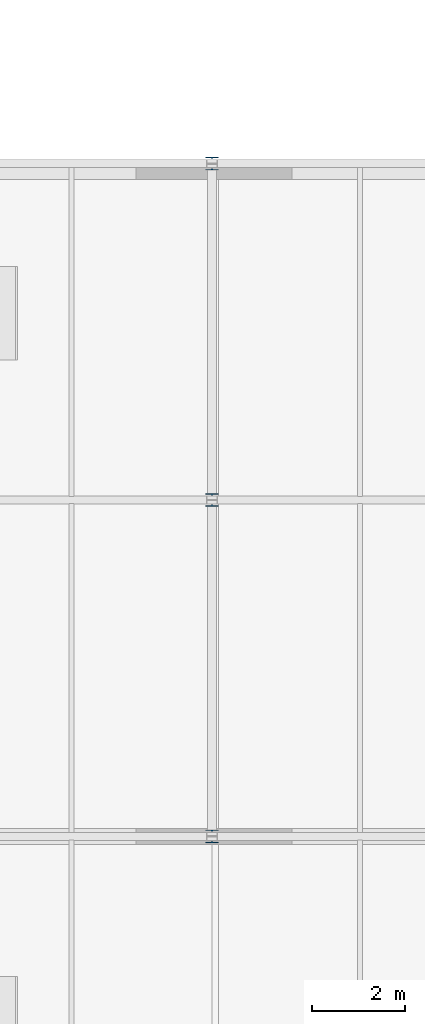
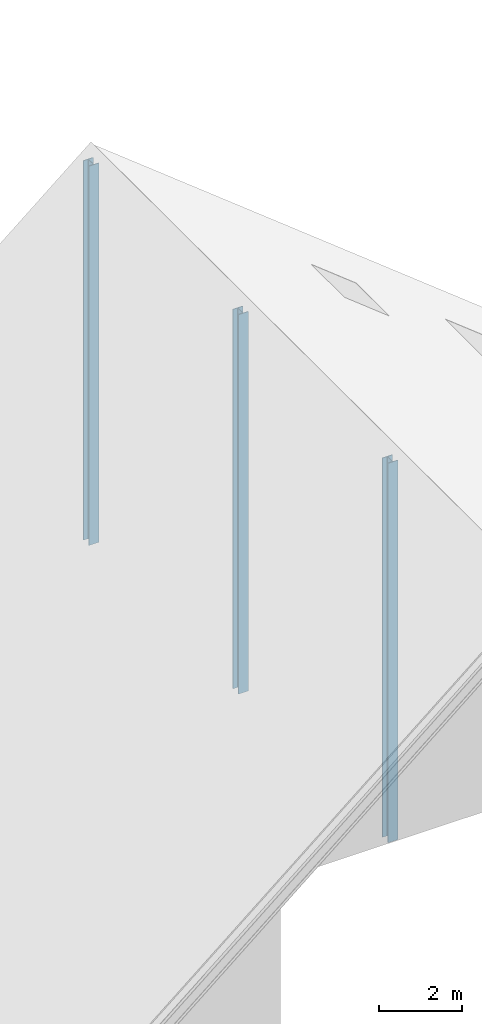
# One storey, part 2 of 35: 3 columns.
"""IFC4 building model written with IfcOpenShell, lengths in metres."""

import ifcopenshell
import ifcopenshell.guid

model = None  # the IFC model being written
_history = None  # IfcOwnerHistory: only IFC2X3 demands one
_inside = {}  # id of a spatial element -> (the spatial element, [elements in it])
_under = {}  # id of a project, library or spatial element -> (it, [spatial elements below it])
_declared = {}  # id of a project -> (the project, [libraries it declares])
_typed = {}  # id of a type object -> (the type object, [elements of that type])
_made_of = {}  # id of a material, layer set ... -> (it, [elements and type objects made of it])


def new_model(schema):
    """Start an empty IFC model of exactly this schema.

    Asked for "IFC4X3", IfcOpenShell would pick the latest addendum, in which some entities
    have other attributes; the version numbers below select the first issue.
    IFC2X3 requires an IfcOwnerHistory on every rooted entity: one is made here for all.
    """
    global model, _history
    if schema == "IFC4X3":
        model = ifcopenshell.file(schema_version=(4, 3, 0, 0))
    else:
        model = ifcopenshell.file(schema=schema)
    _inside.clear()
    _under.clear()
    _declared.clear()
    _typed.clear()
    _made_of.clear()
    _history = None
    if model.schema == "IFC2X3":
        org = make("IfcOrganization", Name="unknown")
        user = make(
            "IfcPersonAndOrganization",
            ThePerson=make("IfcPerson", FamilyName="unknown"),
            TheOrganization=org,
        )
        app = make(
            "IfcApplication",
            ApplicationDeveloper=org,
            Version="unknown",
            ApplicationFullName="unknown",
            ApplicationIdentifier="unknown",
        )
        _history = make(
            "IfcOwnerHistory",
            OwningUser=user,
            OwningApplication=app,
            ChangeAction="ADDED",
            CreationDate=0,
        )
    return model


def make(cls, **values):
    """One entity of the class cls with the attributes given. An attribute that is None is left unset."""
    return model.create_entity(
        cls, **{name: value for name, value in values.items() if value is not None}
    )


def rooted(cls, **values):
    """An entity with a GlobalId (a new one), such as an element, a storey or a relation."""
    return make(cls, GlobalId=ifcopenshell.guid.new(), OwnerHistory=_history, **values)


def si_unit(unit_type, name, prefix=None):
    """IfcSIUnit, for example si_unit("LENGTHUNIT", "METRE", prefix="MILLI")."""
    return make("IfcSIUnit", UnitType=unit_type, Prefix=prefix, Name=name)


def assignment(units):
    """IfcUnitAssignment: the units of a project."""
    return None if units is None else make("IfcUnitAssignment", Units=units)


def point(xyz):
    """IfcCartesianPoint."""
    return None if xyz is None else make("IfcCartesianPoint", Coordinates=xyz)


def direction(xyz):
    """IfcDirection."""
    return None if xyz is None else make("IfcDirection", DirectionRatios=xyz)


def frame(location, z_axis=None, x_axis=None):
    """IfcAxis2Placement3D, a coordinate frame: its origin and axes. An axis left out is left unset."""
    return make(
        "IfcAxis2Placement3D",
        Location=point(location),
        Axis=direction(z_axis),
        RefDirection=direction(x_axis),
    )


def frame_2d(location, x_axis=None):
    """IfcAxis2Placement2D, a coordinate frame in the plane: its origin and x axis."""
    return make(
        "IfcAxis2Placement2D", Location=point(location), RefDirection=direction(x_axis)
    )


def origin():
    """The frame at (0, 0, 0) with its axes left unset."""
    return frame((0.0, 0.0, 0.0))


def origin_2d():
    """The frame at (0, 0) in the plane with its x axis left unset."""
    return frame_2d((0.0, 0.0))


def place(relative_to, where):
    """IfcLocalPlacement: puts the frame where relative to a parent placement (None: the world)."""
    return make(
        "IfcLocalPlacement", PlacementRelTo=relative_to, RelativePlacement=where
    )


def context(
    kind, dimensions, precision=None, world=None, true_north=None, identifier=None
):
    """IfcGeometricRepresentationContext, for example the 3D "Model" context."""
    return make(
        "IfcGeometricRepresentationContext",
        ContextIdentifier=identifier,
        ContextType=kind,
        CoordinateSpaceDimension=dimensions,
        Precision=precision,
        WorldCoordinateSystem=world,
        TrueNorth=true_north,
    )


def subcontext(parent, identifier, kind, view, scale=None):
    """IfcGeometricRepresentationSubContext, for example "Body" below "Model"."""
    return make(
        "IfcGeometricRepresentationSubContext",
        ContextIdentifier=identifier,
        ContextType=kind,
        ParentContext=parent,
        TargetScale=scale,
        TargetView=view,
    )


def project(units=None, contexts=None):
    """IfcProject with its units and contexts."""
    return rooted(
        "IfcProject",
        Name="project",
        RepresentationContexts=contexts,
        UnitsInContext=assignment(units),
    )


def spatial(cls, under=None, at=None, **own):
    """A site, building, storey or space (cls), placed at a placement, below another one or the project."""
    s = rooted(cls, ObjectPlacement=at, **own)
    if under is not None:
        _under.setdefault(under.id(), (under, []))[1].append(s)
    return s


def profile(cls, at=None, kind="AREA", **sizes):
    """A parametric profile (cls). Its sizes go by their IFC names, for example OverallWidth=200.0."""
    return make(cls, ProfileType=kind, Position=at, **sizes)


def i_section(**sizes):
    """IfcIShapeProfileDef."""
    return profile("IfcIShapeProfileDef", **sizes)


def extrude(swept, where, along, depth):
    """IfcExtrudedAreaSolid: the profile swept, set in the frame where, extruded along a direction by depth."""
    return make(
        "IfcExtrudedAreaSolid",
        SweptArea=swept,
        Position=where,
        ExtrudedDirection=direction(along),
        Depth=depth,
    )


def shape(context_of_items, identifier, shape_type, items):
    """IfcShapeRepresentation: the items that make up one representation, for example the "Body"."""
    return make(
        "IfcShapeRepresentation",
        ContextOfItems=context_of_items,
        RepresentationIdentifier=identifier,
        RepresentationType=shape_type,
        Items=items,
    )


def material(Name=None, Category=None):
    """IfcMaterial."""
    return make("IfcMaterial", Name=Name, Category=Category)


def material_profile(
    of_material, cross_section, Name=None, Category=None, Priority=None
):
    """IfcMaterialProfile: a cross section and its material."""
    return make(
        "IfcMaterialProfile",
        Name=Name,
        Material=of_material,
        Profile=cross_section,
        Priority=Priority,
        Category=Category,
    )


def profile_set(profiles, Name=None, composite=None):
    """IfcMaterialProfileSet."""
    return make(
        "IfcMaterialProfileSet",
        Name=Name,
        MaterialProfiles=profiles,
        CompositeProfile=composite,
    )


def made_of(thing, what):
    """Note that an element or type object is made of a material, layer set ...; save() writes the relation."""
    if what is not None:
        _made_of.setdefault(what.id(), (what, []))[1].append(thing)
    return thing


def type_object(cls, material=None, **own):
    """A type object (cls), such as IfcWallType, which elements share."""
    return made_of(rooted(cls, **own), material)


def element(
    cls,
    number,
    at=None,
    inside=None,
    cuts=None,
    type_object=None,
    material=None,
    context=None,
    identifier="Body",
    shape_type=None,
    held_by="IfcProductDefinitionShape",
    body=None,
    shapes=None,
    **own,
):
    """One element of the class cls, such as IfcWall. Its Tag is "e" and its number.

    at: its placement. inside: the storey or other place that contains it. cuts: it is an
    opening in that element (IfcRelVoidsElement). A single representation is given by context,
    identifier, shape_type and body (its items); several are given by shapes. held_by: the class
    of the entity that holds the representations. save() writes the other relations.
    """
    e = rooted(cls, Tag="e%d" % number, ObjectPlacement=at, **own)
    if body is not None:
        shapes = [shape(context, identifier, shape_type, body)]
    if shapes is not None:
        e.Representation = make(held_by, Representations=shapes)
    if inside is not None:
        _inside.setdefault(inside.id(), (inside, []))[1].append(e)
    if cuts is not None:
        rooted(
            "IfcRelVoidsElement", RelatingBuildingElement=cuts, RelatedOpeningElement=e
        )
    if type_object is not None:
        _typed.setdefault(type_object.id(), (type_object, []))[1].append(e)
    return made_of(e, material)


def aggregate(whole, parts):
    """IfcRelAggregates: a whole, such as a stair, and the parts it consists of."""
    return rooted("IfcRelAggregates", RelatingObject=whole, RelatedObjects=parts)


def save(model, path):
    """Write the relations noted so far, then the file.

    IfcRelAggregates (storeys below a building ...), IfcRelContainedInSpatialStructure (elements
    in a storey), IfcRelDefinesByType, IfcRelAssociatesMaterial and IfcRelDeclares: one each for
    every whole, place, type object, material and project.
    """
    for whole, parts in _under.values():
        aggregate(whole, parts)
    for where, things in _inside.values():
        rooted(
            "IfcRelContainedInSpatialStructure",
            RelatedElements=things,
            RelatingStructure=where,
        )
    for kind, things in _typed.values():
        rooted("IfcRelDefinesByType", RelatedObjects=things, RelatingType=kind)
    for what, things in _made_of.values():
        rooted("IfcRelAssociatesMaterial", RelatedObjects=things, RelatingMaterial=what)
    for by, libraries in _declared.values():
        rooted("IfcRelDeclares", RelatingContext=by, RelatedDefinitions=libraries)
    model.write(path)


model = new_model("IFC4")

# Units and contexts
model_context = context("Model", 3, precision=1e-05, world=origin(), true_north=direction((0.0, 1.0)))
body_context = subcontext(model_context, "Body", "Model", "MODEL_VIEW")
ifc_project = project(units=[si_unit("LENGTHUNIT", "METRE"), si_unit("AREAUNIT", "SQUARE_METRE"), si_unit("VOLUMEUNIT", "CUBIC_METRE"), si_unit("PLANEANGLEUNIT", "RADIAN"), si_unit("MASSUNIT", "GRAM", prefix="KILO")], contexts=[model_context])

# Site, building, storey
site_placement = place(None, origin())
site = spatial("IfcSite", under=ifc_project, at=site_placement, CompositionType="ELEMENT")
building_placement = place(site_placement, origin())
building = spatial("IfcBuilding", under=site, at=building_placement, Name="Zarrinpeak Specialist Clinic", CompositionType="ELEMENT")
storey_placement = place(building_placement, frame((0.0, 0.0, 31.60009765625)))
storey = spatial("IfcBuildingStorey", under=building, at=storey_placement, Name="RF", CompositionType="ELEMENT", Elevation=31.60009765625)

# Columns
ifc_material = material(Name="Steel S355", Category="steel")
ifc_material_profile = material_profile(ifc_material, i_section(OverallWidth=0.280029296875, OverallDepth=0.280029296875, WebThickness=0.010498046875, FlangeThickness=0.01806640625, FilletRadius=0.02392578125, at=origin_2d()), Name="HEB 280")
ifc_profile_set = profile_set([ifc_material_profile], Name="Steel S355")
column_type = type_object("IfcColumnType", Name="COL-HEB280", PredefinedType="COLUMN", material=ifc_profile_set)
for number, where, z_axis, x_axis, name in (
    (1, (43.199951171875, 7.199951171875, -8.800048828125), (0.0, 0.0, 1.0), (1.0, 0.0, 0.0), "RF Gable Ridge Column V2 Y=7.2"),
    (2, (43.199951171875, 14.39990234375, -8.800048828125), (0.0, 0.0, 1.0), (1.0, 0.0, 0.0), "RF Gable Ridge Column V2 Y=14.4"),
    (3, (43.199951171875, 21.60009765625, -8.800048828125), (0.0, 0.0, 1.0), (1.0, 0.0, 0.0), "RF Gable Ridge Column V2 Y=21.6"),
):
    element("IfcColumn", number, at=place(storey_placement, frame(where, z_axis=z_axis, x_axis=x_axis)), inside=storey, type_object=column_type, Name=name, PredefinedType="COLUMN", context=body_context, shape_type="SweptSolid", body=[
        extrude(i_section(OverallWidth=0.280029296875, OverallDepth=0.280029296875, WebThickness=0.010498046875, FlangeThickness=0.01806640625, FilletRadius=0.02392578125, at=origin_2d()), origin(), (0.0, 0.0, 1.0), 11.14990234375),
    ])

save(model, "model.ifc")
